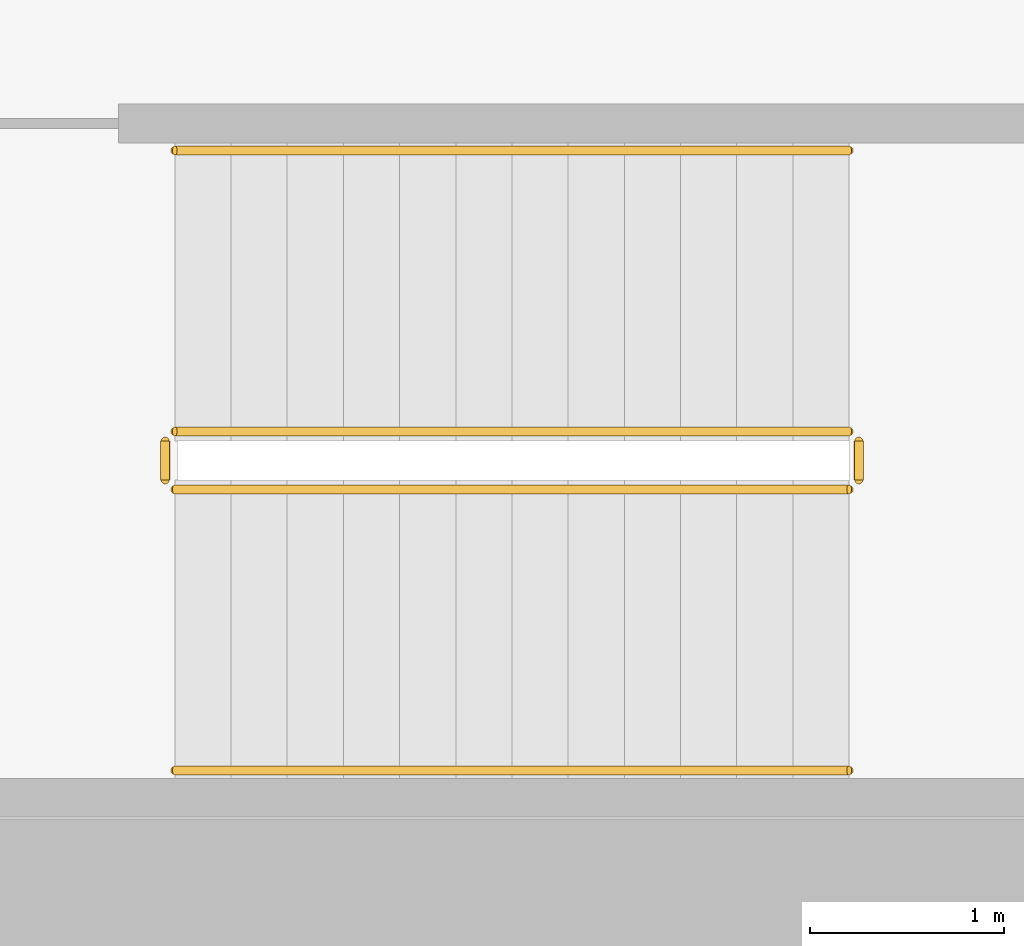
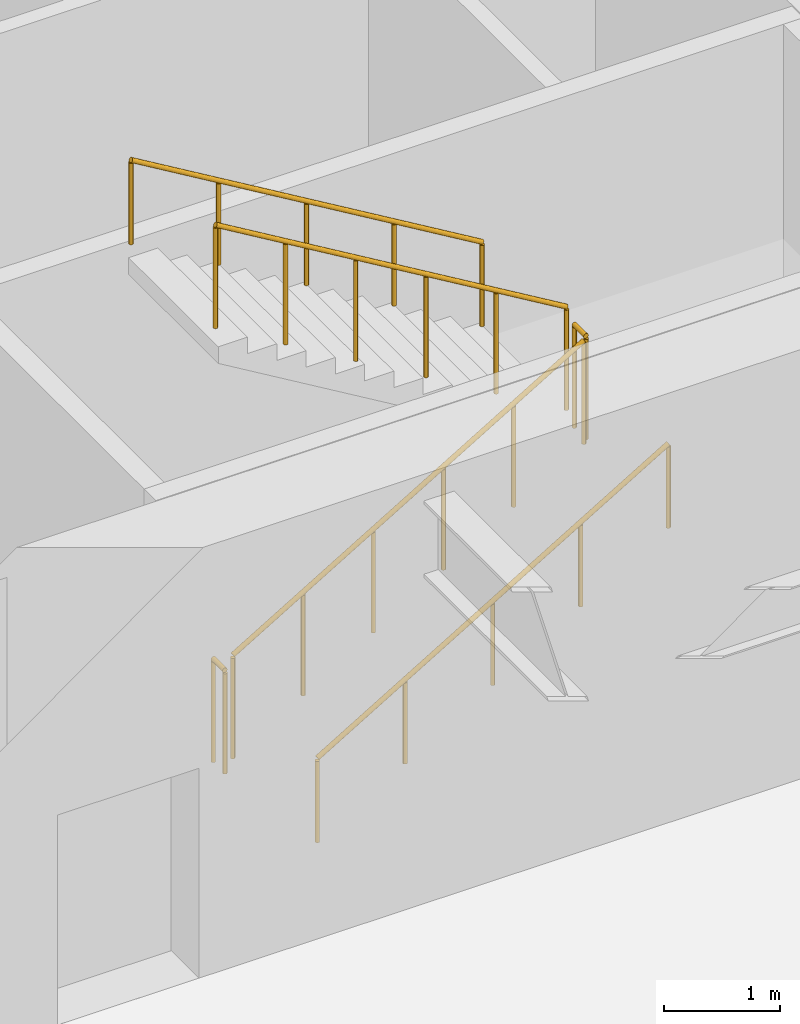
# One storey, part 9 of 10: 6 railings.
"""IFC4 building model written with IfcOpenShell, lengths in metres."""

from ifc_helpers import new_model, si_unit, direction, frame, origin, origin_2d, place, context, subcontext, project, spatial, circle, extrude, material, type_object, element, save


model = new_model("IFC4")

# Units and contexts
model_context = context("Model", 3, precision=1e-05, world=origin(), true_north=direction((0.0, 1.0)))
body_context = subcontext(model_context, "Body", "Model", "MODEL_VIEW")
ifc_project = project(units=[si_unit("LENGTHUNIT", "METRE"), si_unit("AREAUNIT", "SQUARE_METRE"), si_unit("VOLUMEUNIT", "CUBIC_METRE"), si_unit("PLANEANGLEUNIT", "RADIAN"), si_unit("MASSUNIT", "GRAM", prefix="KILO")], contexts=[model_context])

# Site, building, storey
site_placement = place(None, origin())
site = spatial("IfcSite", under=ifc_project, at=site_placement, CompositionType="ELEMENT")
building_placement = place(site_placement, origin())
building = spatial("IfcBuilding", under=site, at=building_placement, Name="Putna Gate Headquarters", CompositionType="ELEMENT")
storey_placement = place(building_placement, frame((0.0, 0.0, -4.5)))
storey = spatial("IfcBuildingStorey", under=building, at=storey_placement, Name="B01", CompositionType="ELEMENT", Elevation=-4.5)

# Railings
ifc_material_1 = material(Name="Powder-coated steel stair guardrail", Category="steel")
railing_type_1 = type_object("IfcRailingType", Name="RAIL-STAIR-GUARD-1100", PredefinedType="GUARDRAIL", material=ifc_material_1)
railing_1_placement = place(storey_placement, frame((57.89990234375, 21.10009765625, 0.173095703125)))
element("IfcRailing", 1, at=railing_1_placement, inside=storey, type_object=railing_type_1, Name="B01 ST2 stair guard 1", PredefinedType="GUARDRAIL", context=body_context, shape_type="SweptSolid", body=[
    extrude(circle(Radius=0.02392578125, at=origin_2d()), frame((0.0, 0.0, 1.076171875), z_axis=(0.858697190188, 0.0, 0.512483302717), x_axis=(0.0, 1.0, 0.0)), (0.0, 0.0, 1.0), 4.052734375),
    extrude(circle(Radius=0.02099609375, at=origin_2d()), origin(), (0.0, 0.0, 1.0), 1.052001953125),
    extrude(circle(Radius=0.02099609375, at=origin_2d()), frame((0.696044921875, 0.0, 0.415283203125)), (0.0, 0.0, 1.0), 1.052001953125),
    extrude(circle(Radius=0.02099609375, at=origin_2d()), frame((1.39208984375, 0.0, 0.830810546875)), (0.0, 0.0, 1.0), 1.052001953125),
    extrude(circle(Radius=0.02099609375, at=origin_2d()), frame((2.087890625, 0.0, 1.24609375)), (0.0, 0.0, 1.0), 1.052001953125),
    extrude(circle(Radius=0.02099609375, at=origin_2d()), frame((2.783935546875, 0.0, 1.66162109375)), (0.0, 0.0, 1.0), 1.052001953125),
    extrude(circle(Radius=0.02099609375, at=origin_2d()), frame((3.47998046875, 0.0, 2.076904296875)), (0.0, 0.0, 1.0), 1.052001953125),
])
railing_2_placement = place(storey_placement, frame((61.429931640625, 21.14990234375, 2.25)))
element("IfcRailing", 2, at=railing_2_placement, inside=storey, type_object=railing_type_1, Name="B01 ST2 stair guard 2", PredefinedType="GUARDRAIL", context=body_context, shape_type="SweptSolid", body=[
    extrude(circle(Radius=0.02392578125, at=origin_2d()), frame((0.0, 0.0, 1.076171875), z_axis=(0.0, 1.0, 0.0), x_axis=(-1.0, 0.0, 0.0)), (0.0, 0.0, 1.0), 0.2001953125),
    extrude(circle(Radius=0.02099609375, at=origin_2d()), origin(), (0.0, 0.0, 1.0), 1.052001953125),
    extrude(circle(Radius=0.02099609375, at=origin_2d()), frame((0.0, 0.2001953125, 0.0)), (0.0, 0.0, 1.0), 1.052001953125),
])
railing_3_placement = place(storey_placement, frame((61.3798828125, 21.39990234375, 2.423095703125)))
element("IfcRailing", 3, at=railing_3_placement, inside=storey, type_object=railing_type_1, Name="B01 ST2 stair guard 3", PredefinedType="GUARDRAIL", context=body_context, shape_type="SweptSolid", body=[
    extrude(circle(Radius=0.02392578125, at=origin_2d()), frame((0.0, 0.0, 1.076171875), z_axis=(-0.858697190188, 0.0, 0.512483302717), x_axis=(0.0, -1.0, 0.0)), (0.0, 0.0, 1.0), 4.052734375),
    extrude(circle(Radius=0.02099609375, at=origin_2d()), origin(), (0.0, 0.0, 1.0), 1.052001953125),
    extrude(circle(Radius=0.02099609375, at=origin_2d()), frame((-0.696044921875, 0.0, 0.415283203125)), (0.0, 0.0, 1.0), 1.052001953125),
    extrude(circle(Radius=0.02099609375, at=origin_2d()), frame((-1.39208984375, 0.0, 0.830810546875)), (0.0, 0.0, 1.0), 1.052001953125),
    extrude(circle(Radius=0.02099609375, at=origin_2d()), frame((-2.087890625, 0.0, 1.24609375)), (0.0, 0.0, 1.0), 1.052001953125),
    extrude(circle(Radius=0.02099609375, at=origin_2d()), frame((-2.783935546875, 0.0, 1.66162109375)), (0.0, 0.0, 1.0), 1.052001953125),
    extrude(circle(Radius=0.02099609375, at=origin_2d()), frame((-3.47998046875, 0.0, 2.076904296875)), (0.0, 0.0, 1.0), 1.052001953125),
])
railing_4_placement = place(storey_placement, frame((57.85009765625, 21.14990234375, 0.0)))
element("IfcRailing", 4, at=railing_4_placement, inside=storey, type_object=railing_type_1, Name="B01 ST2 stair guard 4", PredefinedType="GUARDRAIL", context=body_context, shape_type="SweptSolid", body=[
    extrude(circle(Radius=0.02392578125, at=origin_2d()), frame((0.0, 0.0, 1.076171875), z_axis=(0.0, 1.0, 0.0), x_axis=(-1.0, 0.0, 0.0)), (0.0, 0.0, 1.0), 0.2001953125),
    extrude(circle(Radius=0.02099609375, at=origin_2d()), origin(), (0.0, 0.0, 1.0), 1.052001953125),
    extrude(circle(Radius=0.02099609375, at=origin_2d()), frame((0.0, 0.2001953125, 0.0)), (0.0, 0.0, 1.0), 1.052001953125),
])
ifc_material_2 = material(Name="Brushed stainless steel handrail", Category="steel")
railing_type_2 = type_object("IfcRailingType", Name="RAIL-STAIR-HAND-900", PredefinedType="HANDRAIL", material=ifc_material_2)
railing_5_placement = place(storey_placement, frame((57.89990234375, 19.64990234375, 0.173095703125)))
element("IfcRailing", 5, at=railing_5_placement, inside=storey, type_object=railing_type_2, Name="B01 ST2 stair handrail 1", PredefinedType="HANDRAIL", context=body_context, shape_type="SweptSolid", body=[
    extrude(circle(Radius=0.02392578125, at=origin_2d()), frame((0.0, 0.0, 0.8759765625), z_axis=(0.858697190188, 0.0, 0.512483302717), x_axis=(0.0, 1.0, 0.0)), (0.0, 0.0, 1.0), 4.052734375),
    extrude(circle(Radius=0.02099609375, at=origin_2d()), origin(), (0.0, 0.0, 1.0), 0.851806640625),
    extrude(circle(Radius=0.02099609375, at=origin_2d()), frame((0.8701171875, 0.0, 0.519287109375)), (0.0, 0.0, 1.0), 0.851806640625),
    extrude(circle(Radius=0.02099609375, at=origin_2d()), frame((1.739990234375, 0.0, 1.03857421875)), (0.0, 0.0, 1.0), 0.851806640625),
    extrude(circle(Radius=0.02099609375, at=origin_2d()), frame((2.60986328125, 0.0, 1.5576171875)), (0.0, 0.0, 1.0), 0.851806640625),
    extrude(circle(Radius=0.02099609375, at=origin_2d()), frame((3.47998046875, 0.0, 2.076904296875)), (0.0, 0.0, 1.0), 0.851806640625),
])
railing_6_placement = place(storey_placement, frame((61.3798828125, 22.85009765625, 2.423095703125)))
element("IfcRailing", 6, at=railing_6_placement, inside=storey, type_object=railing_type_2, Name="B01 ST2 stair handrail 2", PredefinedType="HANDRAIL", context=body_context, shape_type="SweptSolid", body=[
    extrude(circle(Radius=0.02392578125, at=origin_2d()), frame((0.0, 0.0, 0.8759765625), z_axis=(-0.858697190188, 0.0, 0.512483302717), x_axis=(0.0, -1.0, 0.0)), (0.0, 0.0, 1.0), 4.052734375),
    extrude(circle(Radius=0.02099609375, at=origin_2d()), origin(), (0.0, 0.0, 1.0), 0.851806640625),
    extrude(circle(Radius=0.02099609375, at=origin_2d()), frame((-0.8701171875, 0.0, 0.519287109375)), (0.0, 0.0, 1.0), 0.851806640625),
    extrude(circle(Radius=0.02099609375, at=origin_2d()), frame((-1.739990234375, 0.0, 1.03857421875)), (0.0, 0.0, 1.0), 0.851806640625),
    extrude(circle(Radius=0.02099609375, at=origin_2d()), frame((-2.60986328125, 0.0, 1.5576171875)), (0.0, 0.0, 1.0), 0.851806640625),
    extrude(circle(Radius=0.02099609375, at=origin_2d()), frame((-3.47998046875, 0.0, 2.076904296875)), (0.0, 0.0, 1.0), 0.851806640625),
])

save(model, "model.ifc")
